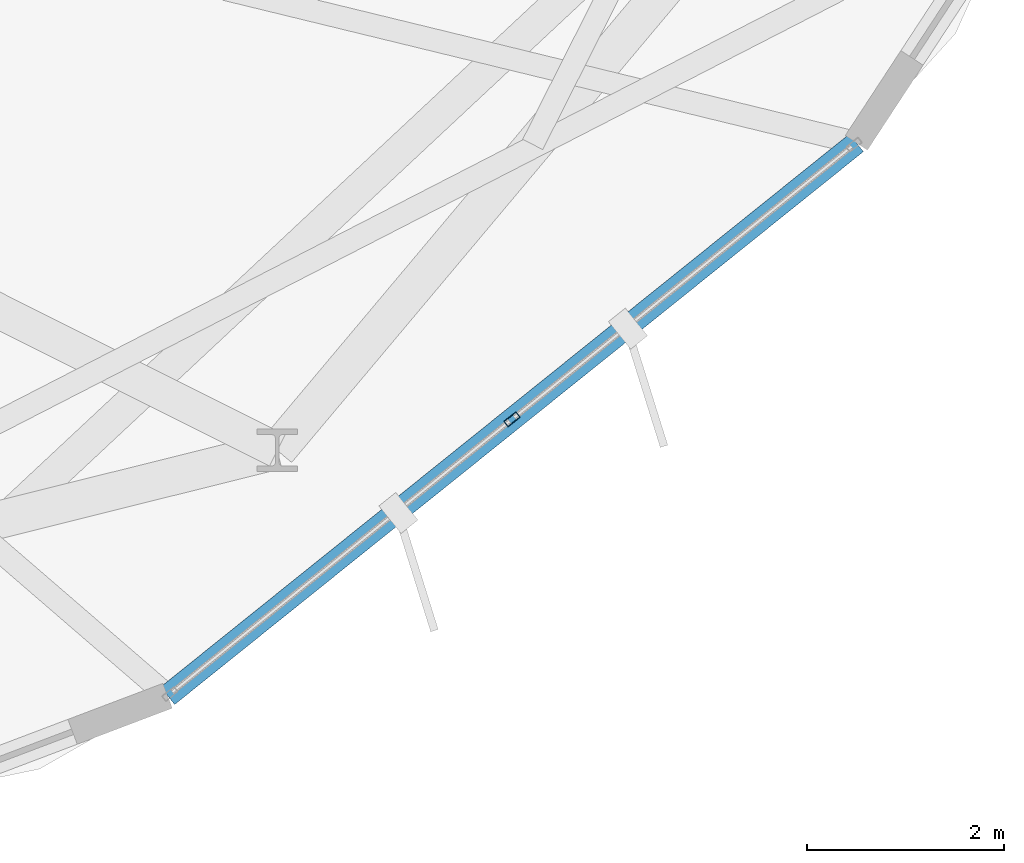
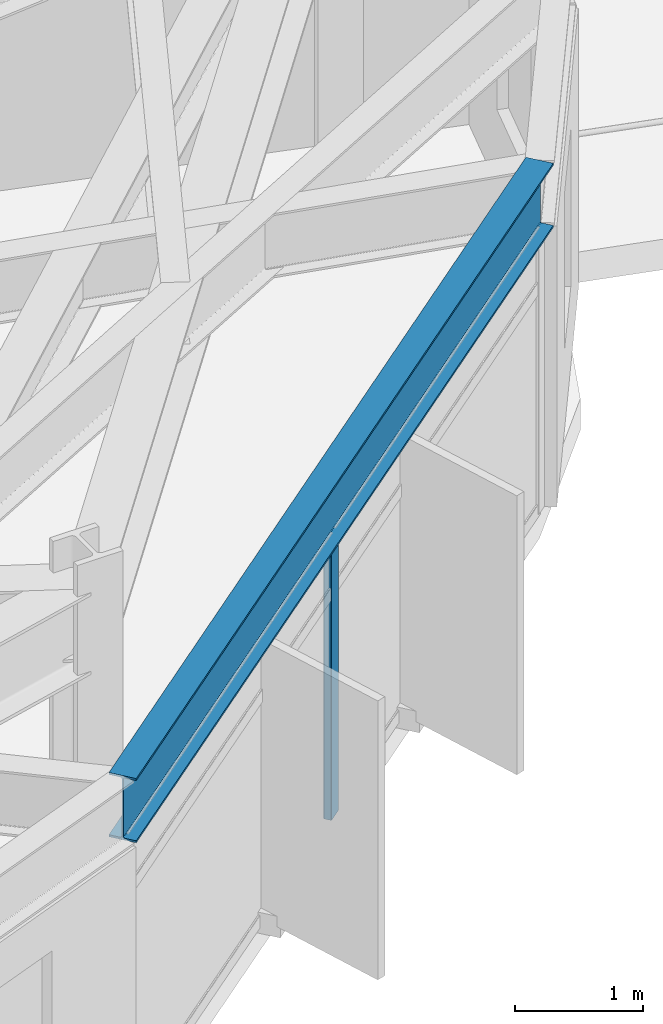
# One storey, part 6 of 23: 1 beam, 1 member, 1 element without a shape of its own.
"""IFC4 building model written with IfcOpenShell, lengths in metres."""

import ifcopenshell
import ifcopenshell.guid

model = None  # the IFC model being written
_history = None  # IfcOwnerHistory: only IFC2X3 demands one
_inside = {}  # id of a spatial element -> (the spatial element, [elements in it])
_under = {}  # id of a project, library or spatial element -> (it, [spatial elements below it])
_declared = {}  # id of a project -> (the project, [libraries it declares])
_typed = {}  # id of a type object -> (the type object, [elements of that type])
_made_of = {}  # id of a material, layer set ... -> (it, [elements and type objects made of it])


def new_model(schema):
    """Start an empty IFC model of exactly this schema.

    Asked for "IFC4X3", IfcOpenShell would pick the latest addendum, in which some entities
    have other attributes; the version numbers below select the first issue.
    IFC2X3 requires an IfcOwnerHistory on every rooted entity: one is made here for all.
    """
    global model, _history
    if schema == "IFC4X3":
        model = ifcopenshell.file(schema_version=(4, 3, 0, 0))
    else:
        model = ifcopenshell.file(schema=schema)
    _inside.clear()
    _under.clear()
    _declared.clear()
    _typed.clear()
    _made_of.clear()
    _history = None
    if model.schema == "IFC2X3":
        org = make("IfcOrganization", Name="unknown")
        user = make(
            "IfcPersonAndOrganization",
            ThePerson=make("IfcPerson", FamilyName="unknown"),
            TheOrganization=org,
        )
        app = make(
            "IfcApplication",
            ApplicationDeveloper=org,
            Version="unknown",
            ApplicationFullName="unknown",
            ApplicationIdentifier="unknown",
        )
        _history = make(
            "IfcOwnerHistory",
            OwningUser=user,
            OwningApplication=app,
            ChangeAction="ADDED",
            CreationDate=0,
        )
    return model


def make(cls, **values):
    """One entity of the class cls with the attributes given. An attribute that is None is left unset."""
    return model.create_entity(
        cls, **{name: value for name, value in values.items() if value is not None}
    )


def rooted(cls, **values):
    """An entity with a GlobalId (a new one), such as an element, a storey or a relation."""
    return make(cls, GlobalId=ifcopenshell.guid.new(), OwnerHistory=_history, **values)


def si_unit(unit_type, name, prefix=None):
    """IfcSIUnit, for example si_unit("LENGTHUNIT", "METRE", prefix="MILLI")."""
    return make("IfcSIUnit", UnitType=unit_type, Prefix=prefix, Name=name)


def assignment(units):
    """IfcUnitAssignment: the units of a project."""
    return None if units is None else make("IfcUnitAssignment", Units=units)


def point(xyz):
    """IfcCartesianPoint."""
    return None if xyz is None else make("IfcCartesianPoint", Coordinates=xyz)


def direction(xyz):
    """IfcDirection."""
    return None if xyz is None else make("IfcDirection", DirectionRatios=xyz)


def frame(location, z_axis=None, x_axis=None):
    """IfcAxis2Placement3D, a coordinate frame: its origin and axes. An axis left out is left unset."""
    return make(
        "IfcAxis2Placement3D",
        Location=point(location),
        Axis=direction(z_axis),
        RefDirection=direction(x_axis),
    )


def frame_2d(location, x_axis=None):
    """IfcAxis2Placement2D, a coordinate frame in the plane: its origin and x axis."""
    return make(
        "IfcAxis2Placement2D", Location=point(location), RefDirection=direction(x_axis)
    )


def origin():
    """The frame at (0, 0, 0) with its axes left unset."""
    return frame((0.0, 0.0, 0.0))


def origin_2d():
    """The frame at (0, 0) in the plane with its x axis left unset."""
    return frame_2d((0.0, 0.0))


def place(relative_to, where):
    """IfcLocalPlacement: puts the frame where relative to a parent placement (None: the world)."""
    return make(
        "IfcLocalPlacement", PlacementRelTo=relative_to, RelativePlacement=where
    )


def context(
    kind, dimensions, precision=None, world=None, true_north=None, identifier=None
):
    """IfcGeometricRepresentationContext, for example the 3D "Model" context."""
    return make(
        "IfcGeometricRepresentationContext",
        ContextIdentifier=identifier,
        ContextType=kind,
        CoordinateSpaceDimension=dimensions,
        Precision=precision,
        WorldCoordinateSystem=world,
        TrueNorth=true_north,
    )


def subcontext(parent, identifier, kind, view, scale=None):
    """IfcGeometricRepresentationSubContext, for example "Body" below "Model"."""
    return make(
        "IfcGeometricRepresentationSubContext",
        ContextIdentifier=identifier,
        ContextType=kind,
        ParentContext=parent,
        TargetScale=scale,
        TargetView=view,
    )


def project(units=None, contexts=None):
    """IfcProject with its units and contexts."""
    return rooted(
        "IfcProject",
        Name="project",
        RepresentationContexts=contexts,
        UnitsInContext=assignment(units),
    )


def spatial(cls, under=None, at=None, **own):
    """A site, building, storey or space (cls), placed at a placement, below another one or the project."""
    s = rooted(cls, ObjectPlacement=at, **own)
    if under is not None:
        _under.setdefault(under.id(), (under, []))[1].append(s)
    return s


def profile(cls, at=None, kind="AREA", **sizes):
    """A parametric profile (cls). Its sizes go by their IFC names, for example OverallWidth=200.0."""
    return make(cls, ProfileType=kind, Position=at, **sizes)


def hollow_rectangle(**sizes):
    """IfcRectangleHollowProfileDef."""
    return profile("IfcRectangleHollowProfileDef", **sizes)


def i_section(**sizes):
    """IfcIShapeProfileDef."""
    return profile("IfcIShapeProfileDef", **sizes)


def extrude(swept, where, along, depth):
    """IfcExtrudedAreaSolid: the profile swept, set in the frame where, extruded along a direction by depth."""
    return make(
        "IfcExtrudedAreaSolid",
        SweptArea=swept,
        Position=where,
        ExtrudedDirection=direction(along),
        Depth=depth,
    )


def shape(context_of_items, identifier, shape_type, items):
    """IfcShapeRepresentation: the items that make up one representation, for example the "Body"."""
    return make(
        "IfcShapeRepresentation",
        ContextOfItems=context_of_items,
        RepresentationIdentifier=identifier,
        RepresentationType=shape_type,
        Items=items,
    )


def material(Name=None, Category=None):
    """IfcMaterial."""
    return make("IfcMaterial", Name=Name, Category=Category)


def layer(
    of_material, thickness, ventilated=None, Name=None, Category=None, Priority=None
):
    """IfcMaterialLayer: one layer of a wall or slab, of a material (None: an air gap)."""
    return make(
        "IfcMaterialLayer",
        Material=of_material,
        LayerThickness=thickness,
        IsVentilated=ventilated,
        Name=Name,
        Category=Category,
        Priority=Priority,
    )


def layer_set(layers, Name=None):
    """IfcMaterialLayerSet."""
    return make("IfcMaterialLayerSet", MaterialLayers=layers, LayerSetName=Name)


def material_profile(
    of_material, cross_section, Name=None, Category=None, Priority=None
):
    """IfcMaterialProfile: a cross section and its material."""
    return make(
        "IfcMaterialProfile",
        Name=Name,
        Material=of_material,
        Profile=cross_section,
        Priority=Priority,
        Category=Category,
    )


def profile_set(profiles, Name=None, composite=None):
    """IfcMaterialProfileSet."""
    return make(
        "IfcMaterialProfileSet",
        Name=Name,
        MaterialProfiles=profiles,
        CompositeProfile=composite,
    )


def made_of(thing, what):
    """Note that an element or type object is made of a material, layer set ...; save() writes the relation."""
    if what is not None:
        _made_of.setdefault(what.id(), (what, []))[1].append(thing)
    return thing


def type_object(cls, material=None, **own):
    """A type object (cls), such as IfcWallType, which elements share."""
    return made_of(rooted(cls, **own), material)


def element(
    cls,
    number,
    at=None,
    inside=None,
    cuts=None,
    type_object=None,
    material=None,
    context=None,
    identifier="Body",
    shape_type=None,
    held_by="IfcProductDefinitionShape",
    body=None,
    shapes=None,
    **own,
):
    """One element of the class cls, such as IfcWall. Its Tag is "e" and its number.

    at: its placement. inside: the storey or other place that contains it. cuts: it is an
    opening in that element (IfcRelVoidsElement). A single representation is given by context,
    identifier, shape_type and body (its items); several are given by shapes. held_by: the class
    of the entity that holds the representations. save() writes the other relations.
    """
    e = rooted(cls, Tag="e%d" % number, ObjectPlacement=at, **own)
    if body is not None:
        shapes = [shape(context, identifier, shape_type, body)]
    if shapes is not None:
        e.Representation = make(held_by, Representations=shapes)
    if inside is not None:
        _inside.setdefault(inside.id(), (inside, []))[1].append(e)
    if cuts is not None:
        rooted(
            "IfcRelVoidsElement", RelatingBuildingElement=cuts, RelatedOpeningElement=e
        )
    if type_object is not None:
        _typed.setdefault(type_object.id(), (type_object, []))[1].append(e)
    return made_of(e, material)


def aggregate(whole, parts):
    """IfcRelAggregates: a whole, such as a stair, and the parts it consists of."""
    return rooted("IfcRelAggregates", RelatingObject=whole, RelatedObjects=parts)


def save(model, path):
    """Write the relations noted so far, then the file.

    IfcRelAggregates (storeys below a building ...), IfcRelContainedInSpatialStructure (elements
    in a storey), IfcRelDefinesByType, IfcRelAssociatesMaterial and IfcRelDeclares: one each for
    every whole, place, type object, material and project.
    """
    for whole, parts in _under.values():
        aggregate(whole, parts)
    for where, things in _inside.values():
        rooted(
            "IfcRelContainedInSpatialStructure",
            RelatedElements=things,
            RelatingStructure=where,
        )
    for kind, things in _typed.values():
        rooted("IfcRelDefinesByType", RelatedObjects=things, RelatingType=kind)
    for what, things in _made_of.values():
        rooted("IfcRelAssociatesMaterial", RelatedObjects=things, RelatingMaterial=what)
    for by, libraries in _declared.values():
        rooted("IfcRelDeclares", RelatingContext=by, RelatedDefinitions=libraries)
    model.write(path)


model = new_model("IFC4")

# Units and contexts
model_context = context("Model", 3, precision=1e-05, world=origin(), true_north=direction((0.0, 1.0)))
body_context = subcontext(model_context, "Body", "Model", "MODEL_VIEW")
ifc_project = project(units=[si_unit("LENGTHUNIT", "METRE"), si_unit("AREAUNIT", "SQUARE_METRE"), si_unit("VOLUMEUNIT", "CUBIC_METRE"), si_unit("PLANEANGLEUNIT", "RADIAN"), si_unit("MASSUNIT", "GRAM", prefix="KILO")], contexts=[model_context])

# Site, building, storey
site_placement = place(None, origin())
site = spatial("IfcSite", under=ifc_project, at=site_placement, CompositionType="ELEMENT")
building_placement = place(site_placement, origin())
building = spatial("IfcBuilding", under=site, at=building_placement, Name="Soratama Intermodal Tower", CompositionType="ELEMENT")
storey_placement = place(building_placement, frame((0.0, 0.0, 175.0)))
storey = spatial("IfcBuildingStorey", under=building, at=storey_placement, Name="L43", CompositionType="ELEMENT", Elevation=175.0)

# Beam
ifc_material_1 = material(Name="Structural steel ASTM A992 Grade 50", Category="steel")
ifc_material_profile_1 = material_profile(ifc_material_1, i_section(OverallWidth=0.22900390625, OverallDepth=0.612060546875, WebThickness=0.011962890625, FlangeThickness=0.01953125, FilletRadius=0.012939453125, at=origin_2d()), Name="W24X84")
ifc_profile_set_1 = profile_set([ifc_material_profile_1], Name="Structural steel ASTM A992 Grade 50")
beam_type = type_object("IfcBeamType", Name="BM-SPN-W24X84", PredefinedType="SPANDREL", material=ifc_profile_set_1)
beam_placement = place(storey_placement, frame((53.158935546875, 7.662109375, 2.993896484375), z_axis=(0.77981800134, 0.626006297721, 0.0), x_axis=(-0.626006297721, 0.77981800134, 0.0)))
element("IfcBeam", 1, at=beam_placement, inside=storey, type_object=beam_type, Name="BS-L43-F08", PredefinedType="SPANDREL", context=body_context, shape_type="SweptSolid", body=[
    extrude(i_section(OverallWidth=0.22900390625, OverallDepth=0.612060546875, WebThickness=0.011962890625, FlangeThickness=0.01953125, FilletRadius=0.012939453125, at=origin_2d()), origin(), (0.0, 0.0, 1.0), 8.985595703125),
])

# Curtain wall, member
ifc_material_2 = material(Name="Double-glazed aluminium curtain wall", Category="aluminium")
ifc_layer = layer(ifc_material_2, 0.159912109375)
ifc_layer_set = layer_set([ifc_layer], Name="Double-glazed aluminium curtain wall")
curtain_wall_type = type_object("IfcCurtainWallType", Name="CW-SYS-4", PredefinedType="NOTDEFINED", material=ifc_layer_set)
curtain_wall_placement = place(storey_placement, origin())
curtain_wall = element("IfcCurtainWall", 2, at=curtain_wall_placement, inside=storey, type_object=curtain_wall_type, Name="L43 Faceted Curtain Wall F08", PredefinedType="NOTDEFINED")
ifc_material_3 = material(Name="Anodised aluminium AA 6063-T6", Category="aluminium")
ifc_material_profile_2 = material_profile(ifc_material_3, hollow_rectangle(XDim=0.070068359375, YDim=0.159912109375, WallThickness=0.0048828125, InnerFilletRadius=0.0048828125, OuterFilletRadius=0.010009765625, at=origin_2d()), Name="CWM160X70X5")
ifc_profile_set_2 = profile_set([ifc_material_profile_2], Name="Anodised aluminium AA 6063-T6")
member_type = type_object("IfcMemberType", Name="MT-CWM-4", PredefinedType="MULLION", material=ifc_profile_set_2)
member_placement = place(storey_placement, frame((56.662109375, 10.474609375, 0.0), z_axis=(0.0, 0.0, 1.0), x_axis=(-0.626056684823, 0.779777549938, 0.0)))
member = element("IfcMember", 3, at=member_placement, type_object=member_type, Name="CW-4 mullion 2", PredefinedType="MULLION", context=body_context, shape_type="SweptSolid", body=[
    extrude(hollow_rectangle(XDim=0.070068359375, YDim=0.159912109375, WallThickness=0.0048828125, InnerFilletRadius=0.0048828125, OuterFilletRadius=0.010009765625, at=origin_2d()), origin(), (0.0, 0.0, 1.0), 2.678955078125),
])
aggregate(curtain_wall, [member])

save(model, "model.ifc")
